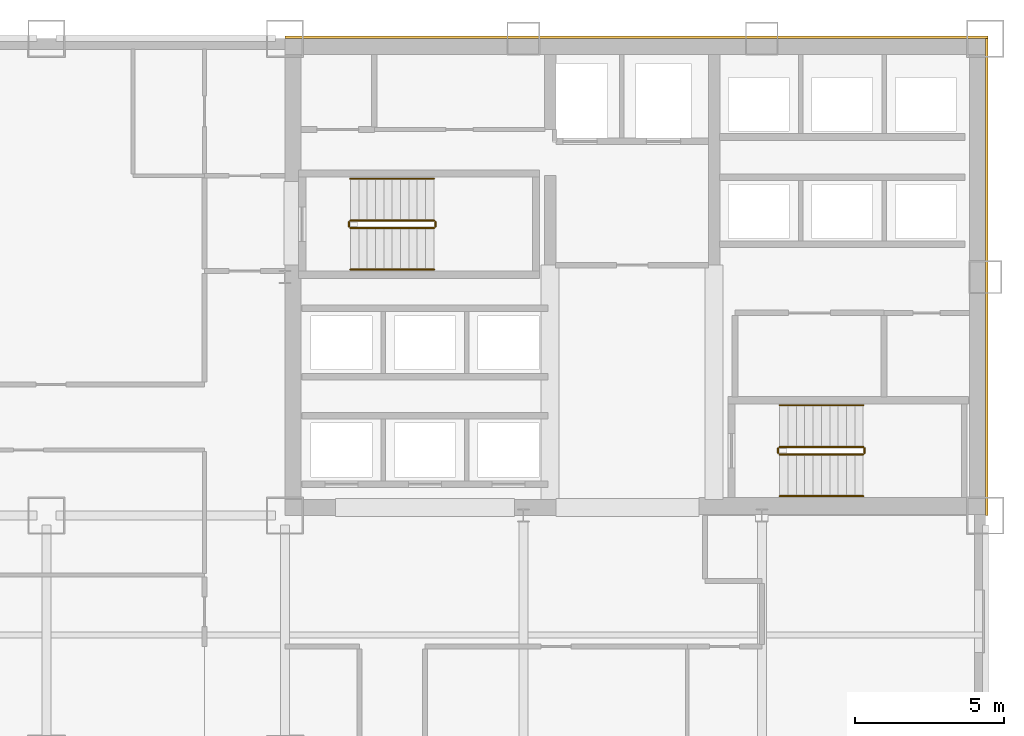
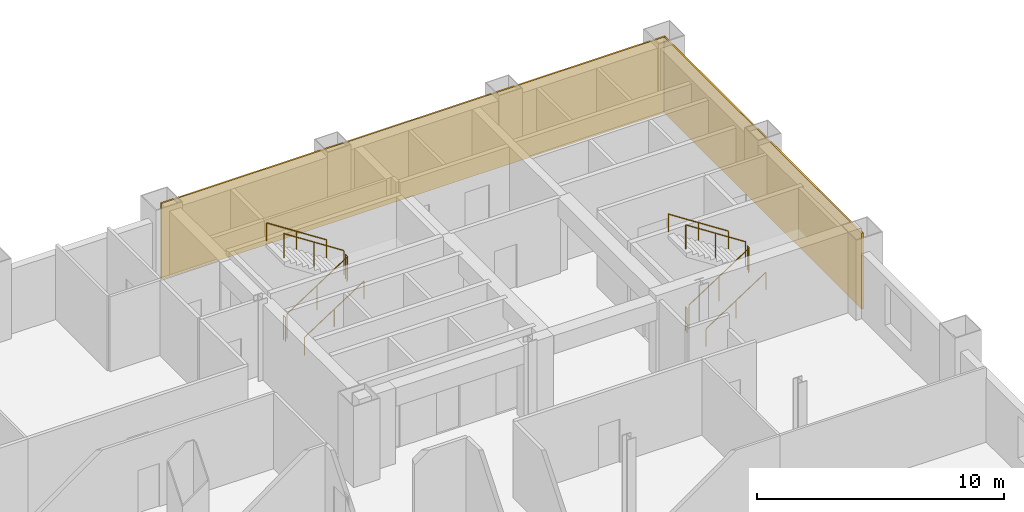
# One storey, part 9 of 9: 12 railings, 2 coverings.
"""IFC4 building model written with IfcOpenShell, lengths in metres."""

from ifc_helpers import new_model, si_unit, direction, frame, origin, origin_2d, place, context, subcontext, project, spatial, rectangle, circle, extrude, material, layer, layer_set, type_object, element, save


model = new_model("IFC4")

# Units and contexts
model_context = context("Model", 3, precision=1e-05, world=origin(), true_north=direction((0.0, 1.0)))
body_context = subcontext(model_context, "Body", "Model", "MODEL_VIEW")
ifc_project = project(units=[si_unit("LENGTHUNIT", "METRE"), si_unit("AREAUNIT", "SQUARE_METRE"), si_unit("VOLUMEUNIT", "CUBIC_METRE"), si_unit("PLANEANGLEUNIT", "RADIAN"), si_unit("MASSUNIT", "GRAM", prefix="KILO")], contexts=[model_context])

# Site, building, storey
site_placement = place(None, origin())
site = spatial("IfcSite", under=ifc_project, at=site_placement, CompositionType="ELEMENT")
building_placement = place(site_placement, origin())
building = spatial("IfcBuilding", under=site, at=building_placement, Name="Qianrong Seaharbour Tower", CompositionType="ELEMENT")
storey_placement = place(building_placement, frame((0.0, 0.0, 80.199951171875)))
storey = spatial("IfcBuildingStorey", under=building, at=storey_placement, Name="L19", CompositionType="ELEMENT", Elevation=80.199951171875)

# Coverings
ifc_material_1 = material(Name="Unitised red brick cladding on Precast concrete C45/55", Category="masonry")
ifc_layer = layer(ifc_material_1, 0.080078125)
ifc_layer_set = layer_set([ifc_layer], Name="Unitised red brick cladding on Precast concrete C45/55")
covering_type = type_object("IfcCoveringType", Name="COV-CLAD-RED-BRICK-80", PredefinedType="CLADDING", material=ifc_layer_set)
covering_1_placement = place(storey_placement, frame((52.2900390625, 52.0400390625, 0.0), z_axis=(0.0, 0.0, 1.0), x_axis=(1.0, 0.0, 0.0)))
element("IfcCovering", 1, at=covering_1_placement, inside=storey, type_object=covering_type, Name="L19 North Core Brick Veneer Cladding", PredefinedType="CLADDING", context=body_context, shape_type="SweptSolid", body=[
    extrude(rectangle(XDim=23.580078125, YDim=0.080078125, at=origin_2d()), origin(), (0.0, 0.0, 1.0), 3.75),
])
covering_2_placement = place(storey_placement, frame((64.0400390625, 44.0, 0.0), z_axis=(0.0, 0.0, 1.0), x_axis=(1.0, 0.0, 0.0)))
element("IfcCovering", 2, at=covering_2_placement, inside=storey, type_object=covering_type, Name="L19 East Core Brick Veneer Cladding", PredefinedType="CLADDING", context=body_context, shape_type="SweptSolid", body=[
    extrude(rectangle(XDim=0.080078125, YDim=16.0, at=origin_2d()), origin(), (0.0, 0.0, 1.0), 3.75),
])

# Railings
ifc_material_2 = material(Name="Galvanized painted steel SN400B stair guard", Category="steel")
railing_type_1 = type_object("IfcRailingType", Name="RAIL-STAIR-GUARD-1220", PredefinedType="GUARDRAIL", material=ifc_material_2)
railing_1_placement = place(storey_placement, frame((42.699951171875, 45.64990234375, 0.181884765625)))
element("IfcRailing", 3, at=railing_1_placement, inside=storey, type_object=railing_type_1, Name="L19 ST-1 stair guard 1", PredefinedType="GUARDRAIL", context=body_context, shape_type="SweptSolid", body=[
    extrude(circle(Radius=0.02392578125, at=origin_2d()), frame((0.0, 0.0, 1.19580078125), z_axis=(0.838705829183, 0.0, 0.544584733623), x_axis=(0.0, 1.0, 0.0)), (0.0, 0.0, 1.0), 3.338623046875),
    extrude(circle(Radius=0.02099609375, at=origin_2d()), origin(), (0.0, 0.0, 1.0), 1.171875),
    extrude(circle(Radius=0.02099609375, at=origin_2d()), frame((1.39990234375, 0.0, 0.9091796875)), (0.0, 0.0, 1.0), 1.171875),
    extrude(circle(Radius=0.02099609375, at=origin_2d()), frame((2.800048828125, 0.0, 1.818115234375)), (0.0, 0.0, 1.0), 1.171875),
])
railing_2_placement = place(storey_placement, frame((45.550048828125, 45.699951171875, 2.0)))
element("IfcRailing", 4, at=railing_2_placement, inside=storey, type_object=railing_type_1, Name="L19 ST-1 stair guard 2", PredefinedType="GUARDRAIL", context=body_context, shape_type="SweptSolid", body=[
    extrude(circle(Radius=0.02392578125, at=origin_2d()), frame((0.0, 0.0, 1.19580078125), z_axis=(0.0, 1.0, 0.0), x_axis=(-1.0, 0.0, 0.0)), (0.0, 0.0, 1.0), 0.150146484375),
    extrude(circle(Radius=0.02099609375, at=origin_2d()), origin(), (0.0, 0.0, 1.0), 1.171875),
    extrude(circle(Radius=0.02099609375, at=origin_2d()), frame((0.0, 0.150146484375, 0.0)), (0.0, 0.0, 1.0), 1.171875),
])
railing_3_placement = place(storey_placement, frame((45.5, 45.89990234375, 2.181884765625)))
element("IfcRailing", 5, at=railing_3_placement, inside=storey, type_object=railing_type_1, Name="L19 ST-1 stair guard 3", PredefinedType="GUARDRAIL", context=body_context, shape_type="SweptSolid", body=[
    extrude(circle(Radius=0.02392578125, at=origin_2d()), frame((0.0, 0.0, 1.19580078125), z_axis=(-0.838705829183, 0.0, 0.544584733623), x_axis=(0.0, -1.0, 0.0)), (0.0, 0.0, 1.0), 3.338623046875),
    extrude(circle(Radius=0.02099609375, at=origin_2d()), origin(), (0.0, 0.0, 1.0), 1.171875),
    extrude(circle(Radius=0.02099609375, at=origin_2d()), frame((-1.39990234375, 0.0, 0.9091796875)), (0.0, 0.0, 1.0), 1.171875),
    extrude(circle(Radius=0.02099609375, at=origin_2d()), frame((-2.800048828125, 0.0, 1.818115234375)), (0.0, 0.0, 1.0), 1.171875),
])
railing_4_placement = place(storey_placement, frame((42.64990234375, 45.699951171875, 0.0)))
element("IfcRailing", 6, at=railing_4_placement, inside=storey, type_object=railing_type_1, Name="L19 ST-1 stair guard 4", PredefinedType="GUARDRAIL", context=body_context, shape_type="SweptSolid", body=[
    extrude(circle(Radius=0.02392578125, at=origin_2d()), frame((0.0, 0.0, 1.19580078125), z_axis=(0.0, 1.0, 0.0), x_axis=(-1.0, 0.0, 0.0)), (0.0, 0.0, 1.0), 0.150146484375),
    extrude(circle(Radius=0.02099609375, at=origin_2d()), origin(), (0.0, 0.0, 1.0), 1.171875),
    extrude(circle(Radius=0.02099609375, at=origin_2d()), frame((0.0, 0.150146484375, 0.0)), (0.0, 0.0, 1.0), 1.171875),
])
railing_5_placement = place(storey_placement, frame((57.10009765625, 38.050048828125, 0.181884765625)))
element("IfcRailing", 7, at=railing_5_placement, inside=storey, type_object=railing_type_1, Name="L19 ST-2 stair guard 1", PredefinedType="GUARDRAIL", context=body_context, shape_type="SweptSolid", body=[
    extrude(circle(Radius=0.02392578125, at=origin_2d()), frame((0.0, 0.0, 1.19580078125), z_axis=(0.83868413941, 0.0, 0.544618136222), x_axis=(0.0, 1.0, 0.0)), (0.0, 0.0, 1.0), 3.33837890625),
    extrude(circle(Radius=0.02099609375, at=origin_2d()), origin(), (0.0, 0.0, 1.0), 1.171875),
    extrude(circle(Radius=0.02099609375, at=origin_2d()), frame((1.39990234375, 0.0, 0.9091796875)), (0.0, 0.0, 1.0), 1.171875),
    extrude(circle(Radius=0.02099609375, at=origin_2d()), frame((2.7998046875, 0.0, 1.818115234375)), (0.0, 0.0, 1.0), 1.171875),
])
railing_6_placement = place(storey_placement, frame((59.949951171875, 38.10009765625, 2.0)))
element("IfcRailing", 8, at=railing_6_placement, inside=storey, type_object=railing_type_1, Name="L19 ST-2 stair guard 2", PredefinedType="GUARDRAIL", context=body_context, shape_type="SweptSolid", body=[
    extrude(circle(Radius=0.02392578125, at=origin_2d()), frame((0.0, 0.0, 1.19580078125), z_axis=(0.0, 1.0, 0.0), x_axis=(-1.0, 0.0, 0.0)), (0.0, 0.0, 1.0), 0.14990234375),
    extrude(circle(Radius=0.02099609375, at=origin_2d()), origin(), (0.0, 0.0, 1.0), 1.171875),
    extrude(circle(Radius=0.02099609375, at=origin_2d()), frame((0.0, 0.14990234375, 0.0)), (0.0, 0.0, 1.0), 1.171875),
])
railing_7_placement = place(storey_placement, frame((59.89990234375, 38.300048828125, 2.181884765625)))
element("IfcRailing", 9, at=railing_7_placement, inside=storey, type_object=railing_type_1, Name="L19 ST-2 stair guard 3", PredefinedType="GUARDRAIL", context=body_context, shape_type="SweptSolid", body=[
    extrude(circle(Radius=0.02392578125, at=origin_2d()), frame((0.0, 0.0, 1.19580078125), z_axis=(-0.83868413941, 0.0, 0.544618136222), x_axis=(0.0, -1.0, 0.0)), (0.0, 0.0, 1.0), 3.33837890625),
    extrude(circle(Radius=0.02099609375, at=origin_2d()), origin(), (0.0, 0.0, 1.0), 1.171875),
    extrude(circle(Radius=0.02099609375, at=origin_2d()), frame((-1.39990234375, 0.0, 0.9091796875)), (0.0, 0.0, 1.0), 1.171875),
    extrude(circle(Radius=0.02099609375, at=origin_2d()), frame((-2.7998046875, 0.0, 1.818115234375)), (0.0, 0.0, 1.0), 1.171875),
])
railing_8_placement = place(storey_placement, frame((57.050048828125, 38.10009765625, 0.0)))
element("IfcRailing", 10, at=railing_8_placement, inside=storey, type_object=railing_type_1, Name="L19 ST-2 stair guard 4", PredefinedType="GUARDRAIL", context=body_context, shape_type="SweptSolid", body=[
    extrude(circle(Radius=0.02392578125, at=origin_2d()), frame((0.0, 0.0, 1.19580078125), z_axis=(0.0, 1.0, 0.0), x_axis=(-1.0, 0.0, 0.0)), (0.0, 0.0, 1.0), 0.14990234375),
    extrude(circle(Radius=0.02099609375, at=origin_2d()), origin(), (0.0, 0.0, 1.0), 1.171875),
    extrude(circle(Radius=0.02099609375, at=origin_2d()), frame((0.0, 0.14990234375, 0.0)), (0.0, 0.0, 1.0), 1.171875),
])
ifc_material_3 = material(Name="Stainless steel SUS316L continuous handrail", Category="steel")
railing_type_2 = type_object("IfcRailingType", Name="RAIL-STAIR-HANDRAIL-900", PredefinedType="HANDRAIL", material=ifc_material_3)
railing_9_placement = place(storey_placement, frame((42.699951171875, 44.25, 0.181884765625)))
element("IfcRailing", 11, at=railing_9_placement, inside=storey, type_object=railing_type_2, Name="L19 ST-1 stair handrail 1", PredefinedType="HANDRAIL", context=body_context, shape_type="SweptSolid", body=[
    extrude(circle(Radius=0.02392578125, at=origin_2d()), frame((0.0, 0.0, 0.8759765625), z_axis=(0.838705829183, 0.0, 0.544584733623), x_axis=(0.0, 1.0, 0.0)), (0.0, 0.0, 1.0), 3.338623046875),
    extrude(circle(Radius=0.02099609375, at=origin_2d()), origin(), (0.0, 0.0, 1.0), 0.851806640625),
    extrude(circle(Radius=0.02099609375, at=origin_2d()), frame((1.39990234375, 0.0, 0.9091796875)), (0.0, 0.0, 1.0), 0.851806640625),
    extrude(circle(Radius=0.02099609375, at=origin_2d()), frame((2.800048828125, 0.0, 1.818115234375)), (0.0, 0.0, 1.0), 0.851806640625),
])
railing_10_placement = place(storey_placement, frame((45.5, 47.300048828125, 2.181884765625)))
element("IfcRailing", 12, at=railing_10_placement, inside=storey, type_object=railing_type_2, Name="L19 ST-1 stair handrail 2", PredefinedType="HANDRAIL", context=body_context, shape_type="SweptSolid", body=[
    extrude(circle(Radius=0.02392578125, at=origin_2d()), frame((0.0, 0.0, 0.8759765625), z_axis=(-0.838705829183, 0.0, 0.544584733623), x_axis=(0.0, -1.0, 0.0)), (0.0, 0.0, 1.0), 3.338623046875),
    extrude(circle(Radius=0.02099609375, at=origin_2d()), origin(), (0.0, 0.0, 1.0), 0.851806640625),
    extrude(circle(Radius=0.02099609375, at=origin_2d()), frame((-1.39990234375, 0.0, 0.9091796875)), (0.0, 0.0, 1.0), 0.851806640625),
    extrude(circle(Radius=0.02099609375, at=origin_2d()), frame((-2.800048828125, 0.0, 1.818115234375)), (0.0, 0.0, 1.0), 0.851806640625),
])
railing_11_placement = place(storey_placement, frame((57.10009765625, 36.64990234375, 0.181884765625)))
element("IfcRailing", 13, at=railing_11_placement, inside=storey, type_object=railing_type_2, Name="L19 ST-2 stair handrail 1", PredefinedType="HANDRAIL", context=body_context, shape_type="SweptSolid", body=[
    extrude(circle(Radius=0.02392578125, at=origin_2d()), frame((0.0, 0.0, 0.8759765625), z_axis=(0.83868413941, 0.0, 0.544618136222), x_axis=(0.0, 1.0, 0.0)), (0.0, 0.0, 1.0), 3.33837890625),
    extrude(circle(Radius=0.02099609375, at=origin_2d()), origin(), (0.0, 0.0, 1.0), 0.851806640625),
    extrude(circle(Radius=0.02099609375, at=origin_2d()), frame((1.39990234375, 0.0, 0.9091796875)), (0.0, 0.0, 1.0), 0.851806640625),
    extrude(circle(Radius=0.02099609375, at=origin_2d()), frame((2.7998046875, 0.0, 1.818115234375)), (0.0, 0.0, 1.0), 0.851806640625),
])
railing_12_placement = place(storey_placement, frame((59.89990234375, 39.699951171875, 2.181884765625)))
element("IfcRailing", 14, at=railing_12_placement, inside=storey, type_object=railing_type_2, Name="L19 ST-2 stair handrail 2", PredefinedType="HANDRAIL", context=body_context, shape_type="SweptSolid", body=[
    extrude(circle(Radius=0.02392578125, at=origin_2d()), frame((0.0, 0.0, 0.8759765625), z_axis=(-0.83868413941, 0.0, 0.544618136222), x_axis=(0.0, -1.0, 0.0)), (0.0, 0.0, 1.0), 3.33837890625),
    extrude(circle(Radius=0.02099609375, at=origin_2d()), origin(), (0.0, 0.0, 1.0), 0.851806640625),
    extrude(circle(Radius=0.02099609375, at=origin_2d()), frame((-1.39990234375, 0.0, 0.9091796875)), (0.0, 0.0, 1.0), 0.851806640625),
    extrude(circle(Radius=0.02099609375, at=origin_2d()), frame((-2.7998046875, 0.0, 1.818115234375)), (0.0, 0.0, 1.0), 0.851806640625),
])

save(model, "model.ifc")
